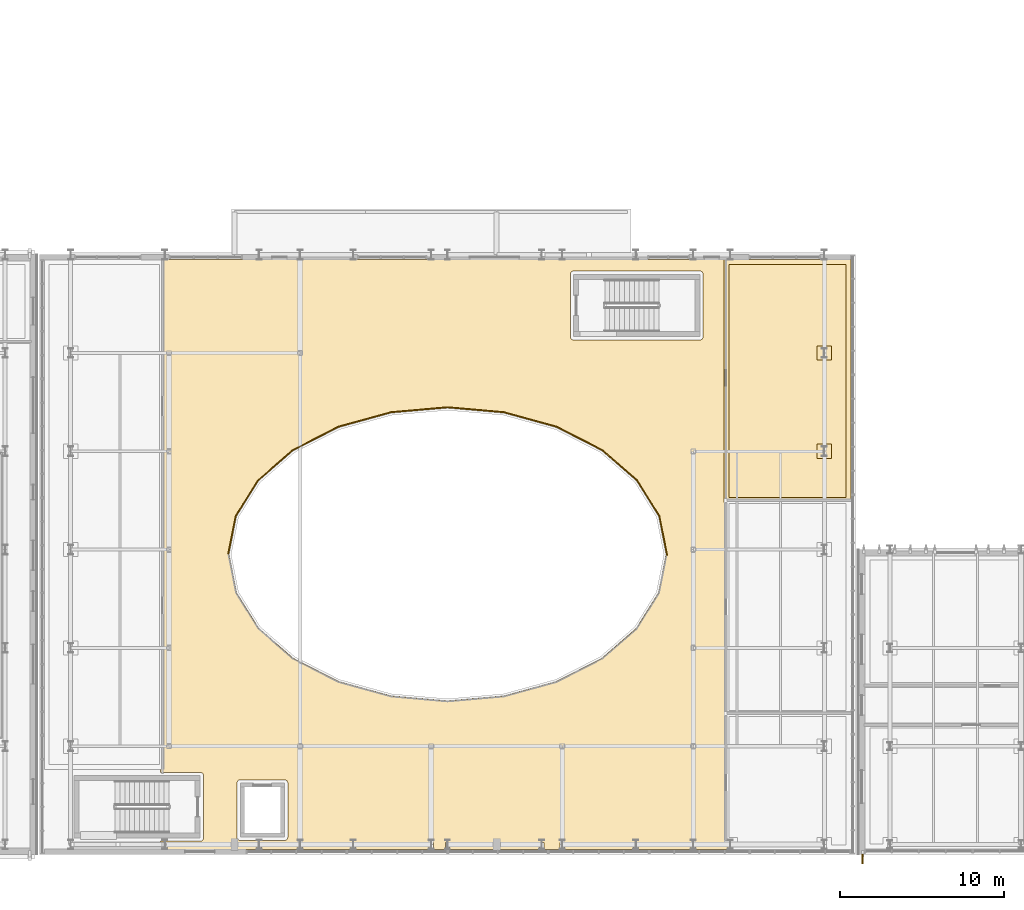
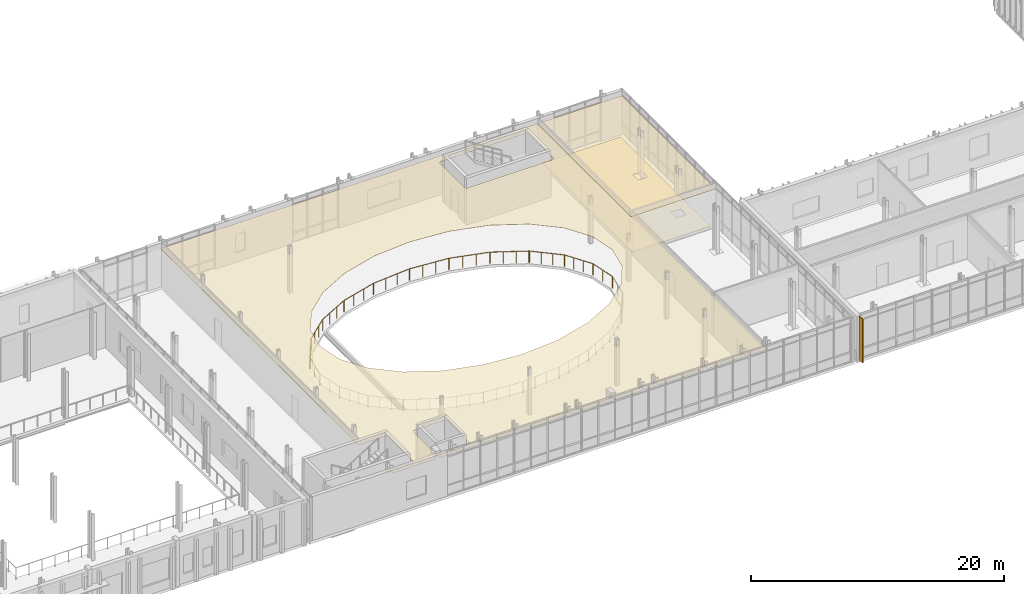
# One storey, part 90 of 100: 4 coverings, 1 railing.
"""IFC4 building model written with IfcOpenShell, lengths in metres."""

from ifc_helpers import new_model, si_unit, direction, frame, origin, origin_2d, place, context, subcontext, project, spatial, polyline, rectangle, circle, outline, extrude, material, layer, layer_set, type_object, element, save


model = new_model("IFC4")

# Units and contexts
model_context = context("Model", 3, precision=1e-05, world=origin(), true_north=direction((0.0, 1.0)))
body_context = subcontext(model_context, "Body", "Model", "MODEL_VIEW")
ifc_project = project(units=[si_unit("LENGTHUNIT", "METRE"), si_unit("AREAUNIT", "SQUARE_METRE"), si_unit("VOLUMEUNIT", "CUBIC_METRE"), si_unit("PLANEANGLEUNIT", "RADIAN"), si_unit("MASSUNIT", "GRAM", prefix="KILO")], contexts=[model_context])

# Site, building, storey
site_placement = place(None, origin())
site = spatial("IfcSite", under=ifc_project, at=site_placement, CompositionType="ELEMENT")
building_placement = place(site_placement, origin())
building = spatial("IfcBuilding", under=site, at=building_placement, Name="Cymarion Research Institute", CompositionType="ELEMENT")
storey_placement = place(building_placement, frame((0.0, 0.0, 4.800048828125)))
storey = spatial("IfcBuildingStorey", under=building, at=storey_placement, Name="L01", CompositionType="ELEMENT", Elevation=4.800048828125)

# Coverings
ifc_material_1 = material(Name="Micro-perforated mineral acoustic ceiling tile", Category="gypsum")
ifc_layer_1 = layer(ifc_material_1, 0.030029296875)
ifc_layer_set_1 = layer_set([ifc_layer_1], Name="Micro-perforated mineral acoustic ceiling tile")
covering_type_1 = type_object("IfcCoveringType", Name="ACOUSTIC MICRO-PERFORATED SUSPENDED CEILING CLG-01", PredefinedType="CEILING", material=ifc_layer_set_1)
covering_1_placement = place(storey_placement, frame((0.0, 0.0, 3.699951171875)))
element("IfcCovering", 1, at=covering_1_placement, inside=storey, type_object=covering_type_1, Name="L01 L01 Curved Interaction Atrium Collaboration Gallery acoustic ceiling", PredefinedType="CEILING", context=body_context, shape_type="SweptSolid", body=[
    extrude(outline(polyline([(62.0849609375, 41.215087890625), (96.715087890625, 41.215087890625), (96.715087890625, 5.18505859375), (94.735107421875, 5.18505859375), (94.735107421875, 5.635009765625), (94.465087890625, 5.635009765625), (94.465087890625, 5.18505859375), (91.235107421875, 5.18505859375), (91.235107421875, 5.635009765625), (90.965087890625, 5.635009765625), (90.965087890625, 5.18505859375), (86.735107421875, 5.18505859375), (86.735107421875, 5.635009765625), (86.465087890625, 5.635009765625), (86.465087890625, 5.18505859375), (85.485107421875, 5.18505859375), (85.485107421875, 5.635009765625), (85.215087890625, 5.635009765625), (85.215087890625, 5.18505859375), (82.735107421875, 5.18505859375), (82.735107421875, 5.635009765625), (82.465087890625, 5.635009765625), (82.465087890625, 5.18505859375), (79.735107421875, 5.18505859375), (79.735107421875, 5.635009765625), (79.465087890625, 5.635009765625), (79.465087890625, 5.18505859375), (78.735107421875, 5.18505859375), (78.735107421875, 5.635009765625), (78.465087890625, 5.635009765625), (78.465087890625, 5.18505859375), (73.985107421875, 5.18505859375), (73.985107421875, 5.635009765625), (73.715087890625, 5.635009765625), (73.715087890625, 5.18505859375), (70.735107421875, 5.18505859375), (70.735107421875, 5.635009765625), (70.465087890625, 5.635009765625), (70.465087890625, 5.18505859375), (68.235107421875, 5.18505859375), (68.235107421875, 5.635009765625), (67.965087890625, 5.635009765625), (67.965087890625, 5.18505859375), (66.735107421875, 5.18505859375), (66.735107421875, 5.635009765625), (66.465087890625, 5.635009765625), (66.465087890625, 5.18505859375), (62.485107421875, 5.18505859375), (62.485107421875, 5.635009765625), (62.0849609375, 5.635009765625), (62.0849609375, 5.699951171875), (64.5, 5.699951171875), (64.51953125, 5.700927734375), (64.5390625, 5.703857421875), (64.55810546875, 5.70849609375), (64.576416015625, 5.715087890625), (64.59423828125, 5.7236328125), (64.611083984375, 5.733642578125), (64.626953125, 5.745361328125), (64.641357421875, 5.758544921875), (64.654541015625, 5.773193359375), (64.666259765625, 5.788818359375), (64.676513671875, 5.8056640625), (64.684814453125, 5.823486328125), (64.69140625, 5.841796875), (64.6962890625, 5.861083984375), (64.698974609375, 5.88037109375), (64.699951171875, 5.89990234375), (64.699951171875, 9.699951171875), (64.698974609375, 9.719482421875), (64.6962890625, 9.739013671875), (64.69140625, 9.758056640625), (64.684814453125, 9.776611328125), (64.676513671875, 9.794189453125), (64.666259765625, 9.81103515625), (64.654541015625, 9.826904296875), (64.641357421875, 9.84130859375), (64.626953125, 9.8544921875), (64.611083984375, 9.8662109375), (64.59423828125, 9.87646484375), (64.576416015625, 9.884765625), (64.55810546875, 9.891357421875), (64.5390625, 9.896240234375), (64.51953125, 9.89892578125), (64.5, 9.89990234375), (62.0849609375, 9.89990234375), (62.0849609375, 41.215087890625)]), holes=[polyline([(92.484619140625, 25.4931640625), (92.459228515625, 25.557861328125), (91.124755859375, 27.696044921875), (89.0087890625, 29.53369140625), (86.224365234375, 30.954345703125), (83.040283203125, 31.83251953125), (79.60009765625, 32.134521484375), (76.15966796875, 31.83251953125), (72.9755859375, 30.954345703125), (70.191162109375, 29.53369140625), (68.0751953125, 27.696044921875), (66.74072265625, 25.557861328125), (66.71533203125, 25.493408203125), (66.267333984375, 23.199951171875), (66.71533203125, 20.90673828125), (66.74072265625, 20.842041015625), (68.0751953125, 18.703857421875), (70.191162109375, 16.866455078125), (72.9755859375, 15.44580078125), (76.15966796875, 14.5673828125), (79.60009765625, 14.265380859375), (83.040283203125, 14.5673828125), (86.224365234375, 15.44580078125), (89.0087890625, 16.866455078125), (91.124755859375, 18.703857421875), (92.459228515625, 20.842041015625), (92.484619140625, 20.90673828125), (92.930908203125, 23.165283203125), (92.93310546875, 23.216064453125), (92.484619140625, 25.4931640625)]), polyline([(66.910888671875, 5.75390625), (66.930419921875, 5.7509765625), (66.949951171875, 5.75), (69.64990234375, 5.75), (69.669677734375, 5.7509765625), (69.68896484375, 5.75390625), (69.7080078125, 5.758544921875), (69.7265625, 5.76513671875), (69.744384765625, 5.773681640625), (69.760986328125, 5.78369140625), (69.77685546875, 5.79541015625), (69.79150390625, 5.80859375), (69.8046875, 5.822998046875), (69.81640625, 5.8388671875), (69.826416015625, 5.855712890625), (69.834716796875, 5.87353515625), (69.84130859375, 5.891845703125), (69.84619140625, 5.910888671875), (69.84912109375, 5.930419921875), (69.85009765625, 5.949951171875), (69.85009765625, 9.25), (69.84912109375, 9.26953125), (69.84619140625, 9.2890625), (69.84130859375, 9.30810546875), (69.834716796875, 9.326416015625), (69.826416015625, 9.34423828125), (69.81640625, 9.361083984375), (69.8046875, 9.376953125), (69.79150390625, 9.391357421875), (69.77685546875, 9.404541015625), (69.760986328125, 9.416259765625), (69.744384765625, 9.426513671875), (69.7265625, 9.434814453125), (69.7080078125, 9.44140625), (69.68896484375, 9.4462890625), (69.669677734375, 9.448974609375), (69.64990234375, 9.449951171875), (66.949951171875, 9.449951171875), (66.930419921875, 9.448974609375), (66.910888671875, 9.4462890625), (66.891845703125, 9.44140625), (66.87353515625, 9.434814453125), (66.855712890625, 9.426513671875), (66.8388671875, 9.416259765625), (66.822998046875, 9.404541015625), (66.80859375, 9.391357421875), (66.79541015625, 9.376953125), (66.78369140625, 9.361083984375), (66.773681640625, 9.34423828125), (66.76513671875, 9.326416015625), (66.758544921875, 9.30810546875), (66.75390625, 9.2890625), (66.7509765625, 9.26953125), (66.75, 9.25), (66.75, 5.949951171875), (66.7509765625, 5.930419921875), (66.75390625, 5.910888671875), (66.758544921875, 5.891845703125), (66.76513671875, 5.87353515625), (66.773681640625, 5.855712890625), (66.78369140625, 5.8388671875), (66.79541015625, 5.822998046875), (66.80859375, 5.80859375), (66.822998046875, 5.79541015625), (66.8388671875, 5.78369140625), (66.855712890625, 5.773681640625), (66.87353515625, 5.76513671875), (66.891845703125, 5.758544921875), (66.910888671875, 5.75390625)]), polyline([(87.241943359375, 36.30859375), (87.260986328125, 36.3037109375), (87.280517578125, 36.301025390625), (87.300048828125, 36.300048828125), (95.0, 36.300048828125), (95.01953125, 36.301025390625), (95.0390625, 36.3037109375), (95.05810546875, 36.30859375), (95.076416015625, 36.315185546875), (95.09423828125, 36.323486328125), (95.111083984375, 36.333740234375), (95.126953125, 36.345458984375), (95.141357421875, 36.358642578125), (95.154541015625, 36.373046875), (95.166259765625, 36.388916015625), (95.176513671875, 36.40576171875), (95.184814453125, 36.423583984375), (95.19140625, 36.44189453125), (95.1962890625, 36.4609375), (95.198974609375, 36.48046875), (95.199951171875, 36.5), (95.199951171875, 40.300048828125), (95.198974609375, 40.319580078125), (95.1962890625, 40.339111328125), (95.19140625, 40.358154296875), (95.184814453125, 40.37646484375), (95.176513671875, 40.394287109375), (95.166259765625, 40.4111328125), (95.154541015625, 40.427001953125), (95.141357421875, 40.44140625), (95.126953125, 40.45458984375), (95.111083984375, 40.46630859375), (95.09423828125, 40.476318359375), (95.076416015625, 40.48486328125), (95.05810546875, 40.491455078125), (95.0390625, 40.49609375), (95.01953125, 40.4990234375), (95.0, 40.5), (87.300048828125, 40.5), (87.280517578125, 40.4990234375), (87.260986328125, 40.49609375), (87.241943359375, 40.491455078125), (87.223388671875, 40.48486328125), (87.205810546875, 40.476318359375), (87.18896484375, 40.46630859375), (87.173095703125, 40.45458984375), (87.15869140625, 40.44140625), (87.1455078125, 40.427001953125), (87.1337890625, 40.4111328125), (87.12353515625, 40.394287109375), (87.115234375, 40.37646484375), (87.108642578125, 40.358154296875), (87.103759765625, 40.339111328125), (87.10107421875, 40.319580078125), (87.10009765625, 40.300048828125), (87.10009765625, 36.5), (87.10107421875, 36.48046875), (87.103759765625, 36.4609375), (87.108642578125, 36.44189453125), (87.115234375, 36.423583984375), (87.12353515625, 36.40576171875), (87.1337890625, 36.388916015625), (87.1455078125, 36.373046875), (87.15869140625, 36.358642578125), (87.173095703125, 36.345458984375), (87.18896484375, 36.333740234375), (87.205810546875, 36.323486328125), (87.223388671875, 36.315185546875), (87.241943359375, 36.30859375)])]), origin(), (0.0, 0.0, 1.0), 0.030029296875),
])
covering_2_placement = place(storey_placement, frame((0.0, 0.0, 3.699951171875)))
element("IfcCovering", 2, at=covering_2_placement, inside=storey, type_object=covering_type_1, Name="L01 L01 Scientific Periodicals & Write-Up Reading Room acoustic ceiling", PredefinedType="CEILING", context=body_context, shape_type="SweptSolid", body=[
    extrude(outline(polyline([(104.215087890625, 41.215087890625), (104.215087890625, 26.385009765625), (96.485107421875, 26.385009765625), (96.485107421875, 41.215087890625), (104.215087890625, 41.215087890625)])), origin(), (0.0, 0.0, 1.0), 0.030029296875),
])
ifc_material_2 = material(Name="Precast concrete C45/55 architectural white", Category="concrete")
ifc_layer_2 = layer(ifc_material_2, 0.090087890625)
ifc_layer_set_2 = layer_set([ifc_layer_2], Name="Precast concrete C45/55 architectural white")
covering_type_2 = type_object("IfcCoveringType", Name="ARCHITECTURAL WHITE PRECAST CONCRETE VERTICAL FIN FIN1 560MM", PredefinedType="CLADDING", material=ifc_layer_set_2)
covering_3_placement = place(storey_placement, frame((104.93994140625, 4.617919921875, 0.010009765625), z_axis=(0.0, 0.0, 1.0), x_axis=(0.0, -1.0, 0.0)))
element("IfcCovering", 3, at=covering_3_placement, inside=storey, type_object=covering_type_2, Name="L01 V1 white precast vertical fin FIN1 #105", PredefinedType="CLADDING", context=body_context, shape_type="SweptSolid", body=[
    extrude(rectangle(XDim=0.56005859375, YDim=0.090087890625, at=origin_2d()), origin(), (0.0, 0.0, 1.0), 4.22998046875),
])

# Railing
ifc_material_3 = material(Name="Steel S355", Category="steel")
railing_type = type_object("IfcRailingType", Name="LAMINATED GLASS AND STEEL BALUSTRADE BAL1 1120MM", PredefinedType="BALUSTRADE", material=ifc_material_3)
railing_placement = place(storey_placement, frame((66.223388671875, 23.23486328125, 0.0)))
element("IfcRailing", 4, at=railing_placement, inside=storey, type_object=railing_type, Name="L01 V2 Interaction Atrium curved gallery balustrade 2", PredefinedType="BALUSTRADE", context=body_context, shape_type="SweptSolid", body=[
    extrude(circle(Radius=0.02392578125, at=origin_2d()), frame((0.0, 0.0, 1.09619140625), z_axis=(0.193708945841, 0.98105904221, 0.0), x_axis=(-0.98105904221, 0.193708945841, 0.0)), (0.0, 0.0, 1.0), 2.321533203125),
    extrude(circle(Radius=0.02392578125, at=origin_2d()), frame((0.44970703125, 2.277587890625, 1.09619140625), z_axis=(0.239019047122, 0.971014878935, 0.0), x_axis=(-0.971014878935, 0.239019047122, 0.0)), (0.0, 0.0, 1.0), 0.016357421875),
    extrude(circle(Radius=0.02392578125, at=origin_2d()), frame((0.45361328125, 2.29345703125, 1.09619140625), z_axis=(0.329682832837, 0.944091748578, 0.0), x_axis=(-0.944091748578, 0.329682832837, 0.0)), (0.0, 0.0, 1.0), 0.016357421875),
    extrude(circle(Radius=0.02392578125, at=origin_2d()), frame((0.458984375, 2.308837890625, 1.09619140625), z_axis=(0.410364677329, 0.911921505175, 0.0), x_axis=(-0.911921505175, 0.410364677329, 0.0)), (0.0, 0.0, 1.0), 0.01611328125),
    extrude(circle(Radius=0.02392578125, at=origin_2d()), frame((0.465576171875, 2.323486328125, 1.09619140625), z_axis=(0.494524249255, 0.869163832024, 0.0), x_axis=(-0.869163832024, 0.494524249255, 0.0)), (0.0, 0.0, 1.0), 0.016357421875),
    extrude(circle(Radius=0.02392578125, at=origin_2d()), frame((0.4736328125, 2.337646484375, 1.09619140625), z_axis=(0.527696019145, 0.849433288363, 0.0), x_axis=(-0.849433288363, 0.527696019145, 0.0)), (0.0, 0.0, 1.0), 2.498779296875),
    extrude(circle(Radius=0.02392578125, at=origin_2d()), frame((1.792236328125, 4.460205078125, 1.09619140625), z_axis=(0.573462344363, 0.819231920519, 0.0), x_axis=(-0.819231920519, 0.573462344363, 0.0)), (0.0, 0.0, 1.0), 0.017822265625),
    extrude(circle(Radius=0.02392578125, at=origin_2d()), frame((1.802490234375, 4.474853515625, 1.09619140625), z_axis=(0.650791373456, 0.759256602365, 0.0), x_axis=(-0.759256602365, 0.650791373456, 0.0)), (0.0, 0.0, 1.0), 0.01806640625),
    extrude(circle(Radius=0.02392578125, at=origin_2d()), frame((1.814208984375, 4.488525390625, 1.09619140625), z_axis=(0.713938248596, 0.700208666892, 0.0), x_axis=(-0.700208666892, 0.713938248596, 0.0)), (0.0, 0.0, 1.0), 0.017822265625),
    extrude(circle(Radius=0.02392578125, at=origin_2d()), frame((1.826904296875, 4.5009765625, 1.09619140625), z_axis=(0.754917507464, 0.65581975948, 0.0), x_axis=(-0.65581975948, 0.754917507464, 0.0)), (0.0, 0.0, 1.0), 2.779052734375),
    extrude(circle(Radius=0.02392578125, at=origin_2d()), frame((3.9248046875, 6.323486328125, 1.09619140625), z_axis=(0.786318338822, 0.617821551932, 0.0), x_axis=(-0.617821551932, 0.786318338822, 0.0)), (0.0, 0.0, 1.0), 0.021728515625),
    extrude(circle(Radius=0.02392578125, at=origin_2d()), frame((3.94189453125, 6.3369140625, 1.09619140625), z_axis=(0.863371944127, 0.504568019295, 0.0), x_axis=(-0.504568019295, 0.863371944127, 0.0)), (0.0, 0.0, 1.0), 0.021728515625),
    extrude(circle(Radius=0.02392578125, at=origin_2d()), frame((3.960693359375, 6.347900390625, 1.09619140625), z_axis=(0.89028714502, 0.455399604097, 0.0), x_axis=(-0.455399604097, 0.89028714502, 0.0)), (0.0, 0.0, 1.0), 3.07080078125),
    extrude(circle(Radius=0.02392578125, at=origin_2d()), frame((6.694580078125, 7.746337890625, 1.09619140625), z_axis=(0.912168696111, 0.409814921441, 0.0), x_axis=(-0.409814921441, 0.912168696111, 0.0)), (0.0, 0.0, 1.0), 0.0185546875),
    extrude(circle(Radius=0.02392578125, at=origin_2d()), frame((6.71142578125, 7.75390625, 1.09619140625), z_axis=(0.951329033501, 0.308177010852, 0.0), x_axis=(-0.308177010852, 0.951329033501, 0.0)), (0.0, 0.0, 1.0), 0.018310546875),
    extrude(circle(Radius=0.02392578125, at=origin_2d()), frame((6.728759765625, 7.759521484375, 1.09619140625), z_axis=(0.963921358719, 0.266187178892, 0.0), x_axis=(-0.266187178892, 0.963921358719, 0.0)), (0.0, 0.0, 1.0), 3.302734375),
    extrude(circle(Radius=0.02392578125, at=origin_2d()), frame((9.912353515625, 8.638671875, 1.09619140625), z_axis=(0.974391195695, 0.224859506699, 0.0), x_axis=(-0.224859506699, 0.974391195695, 0.0)), (0.0, 0.0, 1.0), 0.016357421875),
    extrude(circle(Radius=0.02392578125, at=origin_2d()), frame((9.92822265625, 8.642333984375, 1.09619140625), z_axis=(0.991098234869, 0.133132598714, 0.0), x_axis=(-0.133132598714, 0.991098234869, 0.0)), (0.0, 0.0, 1.0), 0.0166015625),
    extrude(circle(Radius=0.02392578125, at=origin_2d()), frame((9.944580078125, 8.64453125, 1.09619140625), z_axis=(0.996171352849, 0.087422169749, 0.0), x_axis=(-0.087422169749, 0.996171352849, 0.0)), (0.0, 0.0, 1.0), 3.429443359375),
    extrude(circle(Radius=0.02392578125, at=origin_2d()), frame((13.36083984375, 8.9443359375, 1.09619140625), z_axis=(0.998936609849, 0.046104766608, 0.0), x_axis=(-0.046104766608, 0.998936609849, 0.0)), (0.0, 0.0, 1.0), 0.015869140625),
    extrude(circle(Radius=0.02392578125, at=origin_2d()), frame((13.376708984375, 8.945068359375, 1.09619140625), z_axis=(0.99890317437, -0.046823586299, 0.0), x_axis=(0.046823586299, 0.99890317437, 0.0)), (0.0, 0.0, 1.0), 0.015625),
    extrude(circle(Radius=0.02392578125, at=origin_2d()), frame((13.392333984375, 8.9443359375, 1.09619140625), z_axis=(0.996171352849, -0.087422169749, 0.0), x_axis=(0.087422169749, 0.996171352849, 0.0)), (0.0, 0.0, 1.0), 3.429443359375),
    extrude(circle(Radius=0.02392578125, at=origin_2d()), frame((16.80859375, 8.64453125, 1.09619140625), z_axis=(0.991098234869, -0.133132598714, 0.0), x_axis=(0.133132598714, 0.991098234869, 0.0)), (0.0, 0.0, 1.0), 0.0166015625),
    extrude(circle(Radius=0.02392578125, at=origin_2d()), frame((16.824951171875, 8.642333984375, 1.09619140625), z_axis=(0.974391195695, -0.224859506699, 0.0), x_axis=(0.224859506699, 0.974391195695, 0.0)), (0.0, 0.0, 1.0), 0.016357421875),
    extrude(circle(Radius=0.02392578125, at=origin_2d()), frame((16.8408203125, 8.638671875, 1.09619140625), z_axis=(0.963921358719, -0.266187178892, 0.0), x_axis=(0.266187178892, 0.963921358719, 0.0)), (0.0, 0.0, 1.0), 3.302734375),
    extrude(circle(Radius=0.02392578125, at=origin_2d()), frame((20.0244140625, 7.759521484375, 1.09619140625), z_axis=(0.952577642997, -0.304295635957, 0.0), x_axis=(0.304295635957, 0.952577642997, 0.0)), (0.0, 0.0, 1.0), 0.0185546875),
    extrude(circle(Radius=0.02392578125, at=origin_2d()), frame((20.0419921875, 7.75390625, 1.09619140625), z_axis=(0.90990766598, -0.414810847726, 0.0), x_axis=(0.414810847726, 0.90990766598, 0.0)), (0.0, 0.0, 1.0), 0.018310546875),
    extrude(circle(Radius=0.02392578125, at=origin_2d()), frame((20.05859375, 7.746337890625, 1.09619140625), z_axis=(0.89028714502, -0.455399604097, 0.0), x_axis=(0.455399604097, 0.89028714502, 0.0)), (0.0, 0.0, 1.0), 3.07080078125),
    extrude(circle(Radius=0.02392578125, at=origin_2d()), frame((22.79248046875, 6.347900390625, 1.09619140625), z_axis=(0.863371944127, -0.504568019295, 0.0), x_axis=(0.504568019295, 0.863371944127, 0.0)), (0.0, 0.0, 1.0), 0.021728515625),
    extrude(circle(Radius=0.02392578125, at=origin_2d()), frame((22.811279296875, 6.3369140625, 1.09619140625), z_axis=(0.790549812284, -0.61239774191, 0.0), x_axis=(0.61239774191, 0.790549812284, 0.0)), (0.0, 0.0, 1.0), 0.02197265625),
    extrude(circle(Radius=0.02392578125, at=origin_2d()), frame((22.82861328125, 6.323486328125, 1.09619140625), z_axis=(0.754879718334, -0.655863256211, 0.0), x_axis=(0.655863256211, 0.754879718334, 0.0)), (0.0, 0.0, 1.0), 2.77880859375),
    extrude(circle(Radius=0.02392578125, at=origin_2d()), frame((24.92626953125, 4.5009765625, 1.09619140625), z_axis=(0.720571759014, -0.693380371882, 0.0), x_axis=(0.693380371882, 0.720571759014, 0.0)), (0.0, 0.0, 1.0), 0.01806640625),
    extrude(circle(Radius=0.02392578125, at=origin_2d()), frame((24.939208984375, 4.488525390625, 1.09619140625), z_axis=(0.650791373456, -0.759256602365, 0.0), x_axis=(0.759256602365, 0.650791373456, 0.0)), (0.0, 0.0, 1.0), 0.01806640625),
    extrude(circle(Radius=0.02392578125, at=origin_2d()), frame((24.950927734375, 4.474853515625, 1.09619140625), z_axis=(0.564190505026, -0.825644641501, 0.0), x_axis=(0.825644641501, 0.564190505026, 0.0)), (0.0, 0.0, 1.0), 0.017822265625),
    extrude(circle(Radius=0.02392578125, at=origin_2d()), frame((24.9609375, 4.460205078125, 1.09619140625), z_axis=(0.527766510297, -0.849389492877, 0.0), x_axis=(0.849389492877, 0.527766510297, 0.0)), (0.0, 0.0, 1.0), 2.4990234375),
    extrude(circle(Radius=0.02392578125, at=origin_2d()), frame((26.27978515625, 2.337646484375, 1.09619140625), z_axis=(0.483077342911, -0.875577684027, 0.0), x_axis=(0.875577684027, 0.483077342911, 0.0)), (0.0, 0.0, 1.0), 0.01611328125),
    extrude(circle(Radius=0.02392578125, at=origin_2d()), frame((26.28759765625, 2.323486328125, 1.09619140625), z_axis=(0.410364677329, -0.911921505175, 0.0), x_axis=(0.911921505175, 0.410364677329, 0.0)), (0.0, 0.0, 1.0), 0.01611328125),
    extrude(circle(Radius=0.02392578125, at=origin_2d()), frame((26.294189453125, 2.308837890625, 1.09619140625), z_axis=(0.329682832837, -0.944091748578, 0.0), x_axis=(0.944091748578, 0.329682832837, 0.0)), (0.0, 0.0, 1.0), 0.016357421875),
    extrude(circle(Radius=0.02392578125, at=origin_2d()), frame((26.299560546875, 2.29345703125, 1.09619140625), z_axis=(0.239019047122, -0.971014878935, 0.0), x_axis=(0.971014878935, 0.239019047122, 0.0)), (0.0, 0.0, 1.0), 0.016357421875),
    extrude(circle(Radius=0.02392578125, at=origin_2d()), frame((26.303466796875, 2.277587890625, 1.09619140625), z_axis=(0.193708945841, -0.98105904221, 0.0), x_axis=(0.98105904221, 0.193708945841, 0.0)), (0.0, 0.0, 1.0), 2.321533203125),
    extrude(circle(Radius=0.02392578125, at=origin_2d()), frame((26.753173828125, 0.0, 1.09619140625), z_axis=(0.139468521846, -0.990226505106, 0.0), x_axis=(0.990226505106, 0.139468521846, 0.0)), (0.0, 0.0, 1.0), 0.017578125),
    extrude(circle(Radius=0.02392578125, at=origin_2d()), frame((26.755615234375, -0.017333984375, 1.09619140625), z_axis=(0.055470019623, -0.998460353205, 0.0), x_axis=(0.998460353205, 0.055470019623, 0.0)), (0.0, 0.0, 1.0), 0.017578125),
    extrude(circle(Radius=0.02392578125, at=origin_2d()), frame((26.756591796875, -0.034912109375, 1.09619140625), z_axis=(-0.056248832739, -0.998416781117, 0.0), x_axis=(0.998416781117, -0.056248832739, 0.0)), (0.0, 0.0, 1.0), 0.017333984375),
    extrude(circle(Radius=0.02392578125, at=origin_2d()), frame((26.755615234375, -0.05224609375, 1.09619140625), z_axis=(-0.137568371275, -0.990492273178, 0.0), x_axis=(0.990492273178, -0.137568371275, 0.0)), (0.0, 0.0, 1.0), 0.017822265625),
    extrude(circle(Radius=0.02099609375, at=origin_2d()), origin(), (0.0, 0.0, 1.0), 1.072021484375),
    extrude(circle(Radius=0.02099609375, at=origin_2d()), frame((0.224853515625, 1.138671875, 0.0)), (0.0, 0.0, 1.0), 1.072021484375),
    extrude(circle(Radius=0.02099609375, at=origin_2d()), frame((0.44970703125, 2.277587890625, 0.0)), (0.0, 0.0, 1.0), 1.072021484375),
    extrude(circle(Radius=0.02099609375, at=origin_2d()), frame((0.45361328125, 2.29345703125, 0.0)), (0.0, 0.0, 1.0), 1.072021484375),
    extrude(circle(Radius=0.02099609375, at=origin_2d()), frame((0.458984375, 2.308837890625, 0.0)), (0.0, 0.0, 1.0), 1.072021484375),
    extrude(circle(Radius=0.02099609375, at=origin_2d()), frame((0.465576171875, 2.323486328125, 0.0)), (0.0, 0.0, 1.0), 1.072021484375),
    extrude(circle(Radius=0.02099609375, at=origin_2d()), frame((0.4736328125, 2.337646484375, 0.0)), (0.0, 0.0, 1.0), 1.072021484375),
    extrude(circle(Radius=0.02099609375, at=origin_2d()), frame((0.9130859375, 3.045166015625, 0.0)), (0.0, 0.0, 1.0), 1.072021484375),
    extrude(circle(Radius=0.02099609375, at=origin_2d()), frame((1.352783203125, 3.752685546875, 0.0)), (0.0, 0.0, 1.0), 1.072021484375),
    extrude(circle(Radius=0.02099609375, at=origin_2d()), frame((1.792236328125, 4.460205078125, 0.0)), (0.0, 0.0, 1.0), 1.072021484375),
    extrude(circle(Radius=0.02099609375, at=origin_2d()), frame((1.802490234375, 4.474853515625, 0.0)), (0.0, 0.0, 1.0), 1.072021484375),
    extrude(circle(Radius=0.02099609375, at=origin_2d()), frame((1.814208984375, 4.488525390625, 0.0)), (0.0, 0.0, 1.0), 1.072021484375),
    extrude(circle(Radius=0.02099609375, at=origin_2d()), frame((1.826904296875, 4.5009765625, 0.0)), (0.0, 0.0, 1.0), 1.072021484375),
    extrude(circle(Radius=0.02099609375, at=origin_2d()), frame((2.526123046875, 5.1083984375, 0.0)), (0.0, 0.0, 1.0), 1.072021484375),
    extrude(circle(Radius=0.02099609375, at=origin_2d()), frame((3.2255859375, 5.716064453125, 0.0)), (0.0, 0.0, 1.0), 1.072021484375),
    extrude(circle(Radius=0.02099609375, at=origin_2d()), frame((3.9248046875, 6.323486328125, 0.0)), (0.0, 0.0, 1.0), 1.072021484375),
    extrude(circle(Radius=0.02099609375, at=origin_2d()), frame((3.94189453125, 6.3369140625, 0.0)), (0.0, 0.0, 1.0), 1.072021484375),
    extrude(circle(Radius=0.02099609375, at=origin_2d()), frame((3.960693359375, 6.347900390625, 0.0)), (0.0, 0.0, 1.0), 1.072021484375),
    extrude(circle(Radius=0.02099609375, at=origin_2d()), frame((4.8720703125, 6.81396484375, 0.0)), (0.0, 0.0, 1.0), 1.072021484375),
    extrude(circle(Radius=0.02099609375, at=origin_2d()), frame((5.783203125, 7.2802734375, 0.0)), (0.0, 0.0, 1.0), 1.072021484375),
    extrude(circle(Radius=0.02099609375, at=origin_2d()), frame((6.694580078125, 7.746337890625, 0.0)), (0.0, 0.0, 1.0), 1.072021484375),
    extrude(circle(Radius=0.02099609375, at=origin_2d()), frame((6.71142578125, 7.75390625, 0.0)), (0.0, 0.0, 1.0), 1.072021484375),
    extrude(circle(Radius=0.02099609375, at=origin_2d()), frame((6.728759765625, 7.759521484375, 0.0)), (0.0, 0.0, 1.0), 1.072021484375),
    extrude(circle(Radius=0.02099609375, at=origin_2d()), frame((7.7900390625, 8.052490234375, 0.0)), (0.0, 0.0, 1.0), 1.072021484375),
    extrude(circle(Radius=0.02099609375, at=origin_2d()), frame((8.85107421875, 8.345703125, 0.0)), (0.0, 0.0, 1.0), 1.072021484375),
    extrude(circle(Radius=0.02099609375, at=origin_2d()), frame((9.912353515625, 8.638671875, 0.0)), (0.0, 0.0, 1.0), 1.072021484375),
    extrude(circle(Radius=0.02099609375, at=origin_2d()), frame((9.92822265625, 8.642333984375, 0.0)), (0.0, 0.0, 1.0), 1.072021484375),
    extrude(circle(Radius=0.02099609375, at=origin_2d()), frame((9.944580078125, 8.64453125, 0.0)), (0.0, 0.0, 1.0), 1.072021484375),
    extrude(circle(Radius=0.02099609375, at=origin_2d()), frame((11.083251953125, 8.744384765625, 0.0)), (0.0, 0.0, 1.0), 1.072021484375),
    extrude(circle(Radius=0.02099609375, at=origin_2d()), frame((12.22216796875, 8.844482421875, 0.0)), (0.0, 0.0, 1.0), 1.072021484375),
    extrude(circle(Radius=0.02099609375, at=origin_2d()), frame((13.36083984375, 8.9443359375, 0.0)), (0.0, 0.0, 1.0), 1.072021484375),
    extrude(circle(Radius=0.02099609375, at=origin_2d()), frame((13.376708984375, 8.945068359375, 0.0)), (0.0, 0.0, 1.0), 1.072021484375),
    extrude(circle(Radius=0.02099609375, at=origin_2d()), frame((13.392333984375, 8.9443359375, 0.0)), (0.0, 0.0, 1.0), 1.072021484375),
    extrude(circle(Radius=0.02099609375, at=origin_2d()), frame((14.531005859375, 8.844482421875, 0.0)), (0.0, 0.0, 1.0), 1.072021484375),
    extrude(circle(Radius=0.02099609375, at=origin_2d()), frame((15.669921875, 8.744384765625, 0.0)), (0.0, 0.0, 1.0), 1.072021484375),
    extrude(circle(Radius=0.02099609375, at=origin_2d()), frame((16.80859375, 8.64453125, 0.0)), (0.0, 0.0, 1.0), 1.072021484375),
    extrude(circle(Radius=0.02099609375, at=origin_2d()), frame((16.824951171875, 8.642333984375, 0.0)), (0.0, 0.0, 1.0), 1.072021484375),
    extrude(circle(Radius=0.02099609375, at=origin_2d()), frame((16.8408203125, 8.638671875, 0.0)), (0.0, 0.0, 1.0), 1.072021484375),
    extrude(circle(Radius=0.02099609375, at=origin_2d()), frame((17.902099609375, 8.345703125, 0.0)), (0.0, 0.0, 1.0), 1.072021484375),
    extrude(circle(Radius=0.02099609375, at=origin_2d()), frame((18.963134765625, 8.052490234375, 0.0)), (0.0, 0.0, 1.0), 1.072021484375),
    extrude(circle(Radius=0.02099609375, at=origin_2d()), frame((20.0244140625, 7.759521484375, 0.0)), (0.0, 0.0, 1.0), 1.072021484375),
    extrude(circle(Radius=0.02099609375, at=origin_2d()), frame((20.0419921875, 7.75390625, 0.0)), (0.0, 0.0, 1.0), 1.072021484375),
    extrude(circle(Radius=0.02099609375, at=origin_2d()), frame((20.05859375, 7.746337890625, 0.0)), (0.0, 0.0, 1.0), 1.072021484375),
    extrude(circle(Radius=0.02099609375, at=origin_2d()), frame((20.969970703125, 7.2802734375, 0.0)), (0.0, 0.0, 1.0), 1.072021484375),
    extrude(circle(Radius=0.02099609375, at=origin_2d()), frame((21.881103515625, 6.81396484375, 0.0)), (0.0, 0.0, 1.0), 1.072021484375),
    extrude(circle(Radius=0.02099609375, at=origin_2d()), frame((22.79248046875, 6.347900390625, 0.0)), (0.0, 0.0, 1.0), 1.072021484375),
    extrude(circle(Radius=0.02099609375, at=origin_2d()), frame((22.811279296875, 6.3369140625, 0.0)), (0.0, 0.0, 1.0), 1.072021484375),
    extrude(circle(Radius=0.02099609375, at=origin_2d()), frame((22.82861328125, 6.323486328125, 0.0)), (0.0, 0.0, 1.0), 1.072021484375),
    extrude(circle(Radius=0.02099609375, at=origin_2d()), frame((23.52783203125, 5.716064453125, 0.0)), (0.0, 0.0, 1.0), 1.072021484375),
    extrude(circle(Radius=0.02099609375, at=origin_2d()), frame((24.22705078125, 5.1083984375, 0.0)), (0.0, 0.0, 1.0), 1.072021484375),
    extrude(circle(Radius=0.02099609375, at=origin_2d()), frame((24.92626953125, 4.5009765625, 0.0)), (0.0, 0.0, 1.0), 1.072021484375),
    extrude(circle(Radius=0.02099609375, at=origin_2d()), frame((24.939208984375, 4.488525390625, 0.0)), (0.0, 0.0, 1.0), 1.072021484375),
    extrude(circle(Radius=0.02099609375, at=origin_2d()), frame((24.950927734375, 4.474853515625, 0.0)), (0.0, 0.0, 1.0), 1.072021484375),
    extrude(circle(Radius=0.02099609375, at=origin_2d()), frame((24.9609375, 4.460205078125, 0.0)), (0.0, 0.0, 1.0), 1.072021484375),
    extrude(circle(Radius=0.02099609375, at=origin_2d()), frame((25.400634765625, 3.752685546875, 0.0)), (0.0, 0.0, 1.0), 1.072021484375),
    extrude(circle(Radius=0.02099609375, at=origin_2d()), frame((25.840087890625, 3.045166015625, 0.0)), (0.0, 0.0, 1.0), 1.072021484375),
    extrude(circle(Radius=0.02099609375, at=origin_2d()), frame((26.27978515625, 2.337646484375, 0.0)), (0.0, 0.0, 1.0), 1.072021484375),
    extrude(circle(Radius=0.02099609375, at=origin_2d()), frame((26.28759765625, 2.323486328125, 0.0)), (0.0, 0.0, 1.0), 1.072021484375),
    extrude(circle(Radius=0.02099609375, at=origin_2d()), frame((26.294189453125, 2.308837890625, 0.0)), (0.0, 0.0, 1.0), 1.072021484375),
    extrude(circle(Radius=0.02099609375, at=origin_2d()), frame((26.299560546875, 2.29345703125, 0.0)), (0.0, 0.0, 1.0), 1.072021484375),
    extrude(circle(Radius=0.02099609375, at=origin_2d()), frame((26.303466796875, 2.277587890625, 0.0)), (0.0, 0.0, 1.0), 1.072021484375),
    extrude(circle(Radius=0.02099609375, at=origin_2d()), frame((26.5283203125, 1.138671875, 0.0)), (0.0, 0.0, 1.0), 1.072021484375),
    extrude(circle(Radius=0.02099609375, at=origin_2d()), frame((26.753173828125, 0.0, 0.0)), (0.0, 0.0, 1.0), 1.072021484375),
    extrude(circle(Radius=0.02099609375, at=origin_2d()), frame((26.755615234375, -0.017333984375, 0.0)), (0.0, 0.0, 1.0), 1.072021484375),
    extrude(circle(Radius=0.02099609375, at=origin_2d()), frame((26.756591796875, -0.034912109375, 0.0)), (0.0, 0.0, 1.0), 1.072021484375),
    extrude(circle(Radius=0.02099609375, at=origin_2d()), frame((26.755615234375, -0.05224609375, 0.0)), (0.0, 0.0, 1.0), 1.072021484375),
    extrude(circle(Radius=0.02099609375, at=origin_2d()), frame((26.753173828125, -0.06982421875, 0.0)), (0.0, 0.0, 1.0), 1.072021484375),
])

# Covering
ifc_material_4 = material(Name="Seamless dissipative epoxy resin flooring", Category="resin")
ifc_layer_3 = layer(ifc_material_4, 0.02001953125)
ifc_layer_set_3 = layer_set([ifc_layer_3], Name="Seamless dissipative epoxy resin flooring")
covering_type_3 = type_object("IfcCoveringType", Name="SEAMLESS ESD EPOXY LABORATORY FLOORING FLR-01", PredefinedType="FLOORING", material=ifc_layer_set_3)
covering_4_placement = place(storey_placement, origin())
element("IfcCovering", 5, at=covering_4_placement, inside=storey, type_object=covering_type_3, Name="L01 L01 Scientific Periodicals & Write-Up Reading Room ESD epoxy flooring", PredefinedType="FLOORING", context=body_context, shape_type="SweptSolid", body=[
    extrude(outline(polyline([(96.784912109375, 40.9150390625), (103.9150390625, 40.9150390625), (103.9150390625, 26.68505859375), (96.784912109375, 26.68505859375), (96.784912109375, 40.9150390625)]), holes=[polyline([(103.034912109375, 29.93505859375), (102.1650390625, 29.93505859375), (102.1650390625, 29.06494140625), (103.034912109375, 29.06494140625), (103.034912109375, 29.93505859375)]), polyline([(103.034912109375, 35.93505859375), (102.1650390625, 35.93505859375), (102.1650390625, 35.06494140625), (103.034912109375, 35.06494140625), (103.034912109375, 35.93505859375)])]), origin(), (0.0, 0.0, 1.0), 0.02001953125),
])

save(model, "model.ifc")
